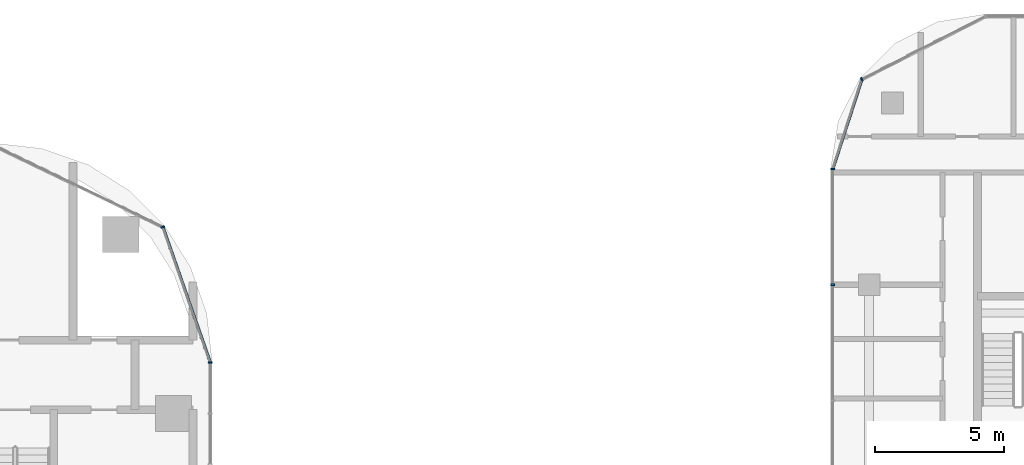
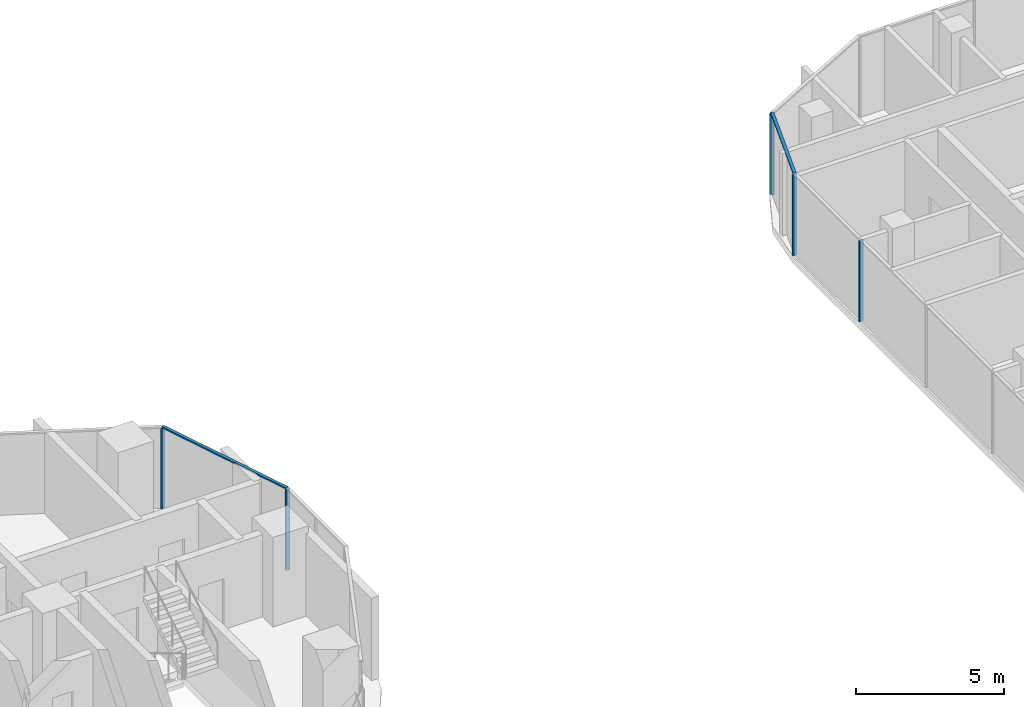
# One storey, part 7 of 31: 7 members, 4 elements without a shape of their own.
"""IFC4 building model written with IfcOpenShell, lengths in metres."""

from ifc_helpers import new_model, si_unit, direction, frame, origin, origin_2d, place, context, subcontext, project, spatial, rectangle, extrude, material, material_profile, profile_set, type_object, element, aggregate, save


model = new_model("IFC4")

# Units and contexts
model_context = context("Model", 3, precision=1e-05, world=origin(), true_north=direction((0.0, 1.0)))
body_context = subcontext(model_context, "Body", "Model", "MODEL_VIEW")
ifc_project = project(units=[si_unit("LENGTHUNIT", "METRE"), si_unit("AREAUNIT", "SQUARE_METRE"), si_unit("VOLUMEUNIT", "CUBIC_METRE"), si_unit("PLANEANGLEUNIT", "RADIAN"), si_unit("MASSUNIT", "GRAM", prefix="KILO")], contexts=[model_context])

# Site, building, storey
site_placement = place(None, origin())
site = spatial("IfcSite", under=ifc_project, at=site_placement, CompositionType="ELEMENT")
building_placement = place(site_placement, origin())
building = spatial("IfcBuilding", under=site, at=building_placement, Name="Ogive Portal Towers", CompositionType="ELEMENT")
storey_placement = place(building_placement, frame((0.0, 0.0, 74.199951171875)))
storey = spatial("IfcBuildingStorey", under=building, at=storey_placement, Name="L17", CompositionType="ELEMENT", Elevation=74.199951171875)

# Curtain wall, member
ifc_material_1 = material(Name="Glass, clear low-iron insulated glazing", Category="glass")
curtain_wall_type_1 = type_object("IfcCurtainWallType", Name="CW FRONT RIBBON 4500", PredefinedType="NOTDEFINED", material=ifc_material_1)
curtain_wall_1_placement = place(storey_placement, origin())
curtain_wall_1 = element("IfcCurtainWall", 1, at=curtain_wall_1_placement, inside=storey, type_object=curtain_wall_type_1, Name="A:L17:f09:cw0", PredefinedType="NOTDEFINED")
ifc_material_2 = material(Name="Aluminium 6063 anodised", Category="aluminium")
ifc_material_profile_1 = material_profile(ifc_material_2, rectangle(XDim=0.159912109375, YDim=0.06005859375, at=origin_2d()), Name="AL 60x160")
ifc_profile_set_1 = profile_set([ifc_material_profile_1], Name="Aluminium 6063 anodised")
member_type_1 = type_object("IfcMemberType", Name="CW MULLION 60x160", PredefinedType="MULLION", material=ifc_profile_set_1)
member_1_placement = place(storey_placement, frame((95.919921875, 32.486328125, 0.0), z_axis=(0.0, 0.0, 1.0), x_axis=(-1.0, 0.0, 0.0)))
member_1 = element("IfcMember", 2, at=member_1_placement, type_object=member_type_1, Name="mullion", PredefinedType="MULLION", context=body_context, shape_type="SweptSolid", body=[
    extrude(rectangle(XDim=0.159912109375, YDim=0.06005859375, at=origin_2d()), origin(), (0.0, 0.0, 1.0), 3.340087890625),
])
aggregate(curtain_wall_1, [member_1])

curtain_wall_2_placement = place(storey_placement, origin())
curtain_wall_2 = element("IfcCurtainWall", 3, at=curtain_wall_2_placement, inside=storey, type_object=curtain_wall_type_1, Name="A:L17:f10:cwa", PredefinedType="NOTDEFINED")
member_2_placement = place(storey_placement, frame((94.0810546875, 37.741943359375, 0.0), z_axis=(0.0, 0.0, 1.0), x_axis=(-0.943883330307, -0.33027906196, 0.0)))
member_2 = element("IfcMember", 4, at=member_2_placement, type_object=member_type_1, Name="mullion", PredefinedType="MULLION", context=body_context, shape_type="SweptSolid", body=[
    extrude(rectangle(XDim=0.159912109375, YDim=0.06005859375, at=origin_2d()), origin(), (0.0, 0.0, 1.0), 3.340087890625),
])

# Curtain wall, members
curtain_wall_type_2 = type_object("IfcCurtainWallType", Name="CW RESIDENCES RIBBON", PredefinedType="NOTDEFINED", material=ifc_material_1)
curtain_wall_3_placement = place(storey_placement, origin())
curtain_wall_3 = element("IfcCurtainWall", 5, at=curtain_wall_3_placement, inside=storey, type_object=curtain_wall_type_2, Name="B:L17:f11:cw0", PredefinedType="NOTDEFINED")
member_3_placement = place(storey_placement, frame((120.080078125, 39.9873046875, 0.0), z_axis=(0.0, 0.0, 1.0), x_axis=(1.0, 0.0, 0.0)))
member_3 = element("IfcMember", 6, at=member_3_placement, type_object=member_type_1, Name="mullion", PredefinedType="MULLION", context=body_context, shape_type="SweptSolid", body=[
    extrude(rectangle(XDim=0.159912109375, YDim=0.06005859375, at=origin_2d()), origin(), (0.0, 0.0, 1.0), 3.340087890625),
])
member_4_placement = place(storey_placement, frame((120.080078125, 35.5, 0.0), z_axis=(0.0, 0.0, 1.0), x_axis=(1.0, 0.0, 0.0)))
member_4 = element("IfcMember", 7, at=member_4_placement, type_object=member_type_1, Name="mullion", PredefinedType="MULLION", context=body_context, shape_type="SweptSolid", body=[
    extrude(rectangle(XDim=0.159912109375, YDim=0.06005859375, at=origin_2d()), origin(), (0.0, 0.0, 1.0), 3.340087890625),
])
aggregate(curtain_wall_3, [member_3, member_4])

# Curtain wall, member
curtain_wall_4_placement = place(storey_placement, origin())
curtain_wall_4 = element("IfcCurtainWall", 8, at=curtain_wall_4_placement, inside=storey, type_object=curtain_wall_type_2, Name="B:L17:f09:cwa", PredefinedType="NOTDEFINED")
member_5_placement = place(storey_placement, frame((121.211669921875, 43.470458984375, 0.0), z_axis=(0.0, 0.0, 1.0), x_axis=(0.45399049974, -0.891006524188, 0.0)))
member_5 = element("IfcMember", 9, at=member_5_placement, type_object=member_type_1, Name="mullion", PredefinedType="MULLION", context=body_context, shape_type="SweptSolid", body=[
    extrude(rectangle(XDim=0.159912109375, YDim=0.06005859375, at=origin_2d()), origin(), (0.0, 0.0, 1.0), 3.340087890625),
])

# Member
ifc_material_profile_2 = material_profile(ifc_material_2, rectangle(XDim=0.1201171875, YDim=0.06005859375, at=origin_2d()), Name="AL 120x60")
ifc_profile_set_2 = profile_set([ifc_material_profile_2], Name="Aluminium 6063 anodised")
member_type_2 = type_object("IfcMemberType", Name="CW TRANSOM 60x120", PredefinedType="USERDEFINED", material=ifc_profile_set_2)
member_6_placement = place(storey_placement, frame((95.919921875, 32.486328125, 3.3701171875), z_axis=(-0.330254721593, 0.943891847017, 0.0), x_axis=(-0.943891847017, -0.330254721593, 0.0)))
member_6 = element("IfcMember", 10, at=member_6_placement, type_object=member_type_2, Name="transom", ObjectType="TRANSOM", PredefinedType="USERDEFINED", context=body_context, shape_type="SweptSolid", body=[
    extrude(rectangle(XDim=0.1201171875, YDim=0.06005859375, at=origin_2d()), origin(), (0.0, 0.0, 1.0), 5.568115234375),
])

aggregate(curtain_wall_2, [member_6, member_2])

member_7_placement = place(storey_placement, frame((121.211669921875, 43.470458984375, 3.3701171875), z_axis=(-0.308979049184, -0.951068844598, 0.0), x_axis=(0.951068844598, -0.308979049184, 0.0)))
member_7 = element("IfcMember", 11, at=member_7_placement, type_object=member_type_2, Name="transom", ObjectType="TRANSOM", PredefinedType="USERDEFINED", context=body_context, shape_type="SweptSolid", body=[
    extrude(rectangle(XDim=0.1201171875, YDim=0.06005859375, at=origin_2d()), origin(), (0.0, 0.0, 1.0), 3.662353515625),
])

aggregate(curtain_wall_4, [member_7, member_5])

save(model, "model.ifc")
